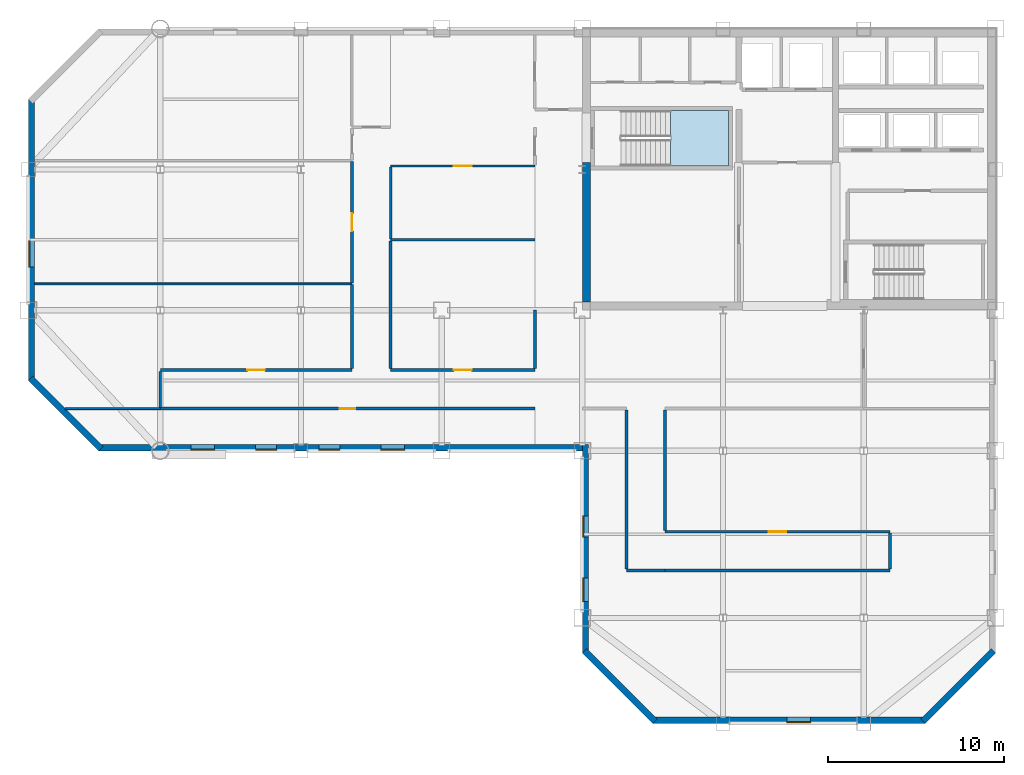
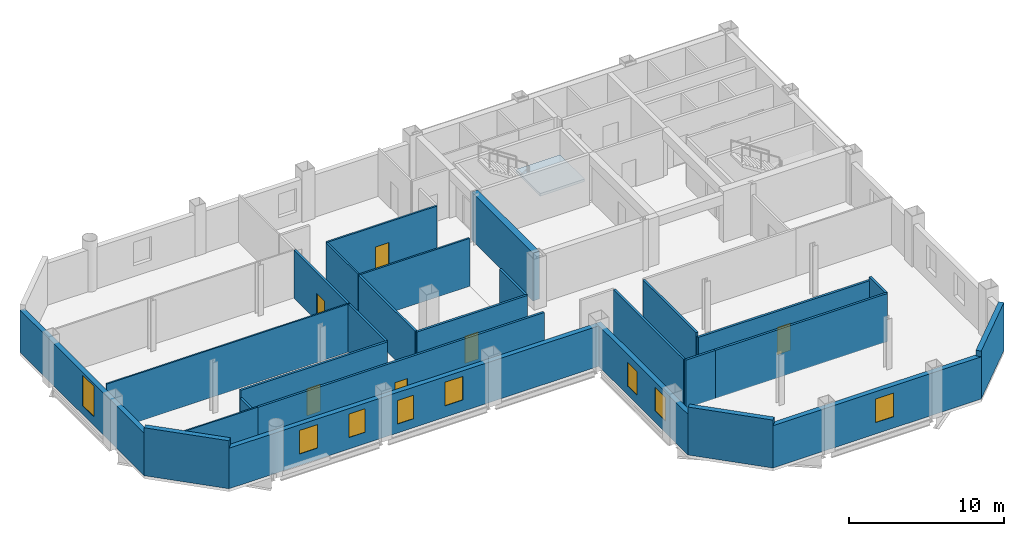
# One storey, part 4 of 10: 27 walls, 8 windows, 6 doors, 1 slab, 14 openings, 1 element without a shape of its own.
"""IFC4 building model written with IfcOpenShell, lengths in metres."""

from ifc_helpers import new_model, si_unit, direction, frame, frame_2d, origin, place, context, subcontext, project, spatial, polyline, rectangle, outline, extrude, material, layer, layer_set, type_object, element, fill, aggregate, save


model = new_model("IFC4")

# Units and contexts
model_context = context("Model", 3, precision=1e-05, world=origin(), true_north=direction((0.0, 1.0)))
body_context = subcontext(model_context, "Body", "Model", "MODEL_VIEW")
ifc_project = project(units=[si_unit("LENGTHUNIT", "METRE"), si_unit("AREAUNIT", "SQUARE_METRE"), si_unit("VOLUMEUNIT", "CUBIC_METRE"), si_unit("PLANEANGLEUNIT", "RADIAN"), si_unit("MASSUNIT", "GRAM", prefix="KILO")], contexts=[model_context])

# Site, building, storey
site_placement = place(None, origin())
site = spatial("IfcSite", under=ifc_project, at=site_placement, CompositionType="ELEMENT")
building_placement = place(site_placement, origin())
building = spatial("IfcBuilding", under=site, at=building_placement, Name="Qianrong Seaharbour Tower", CompositionType="ELEMENT")
storey_placement = place(building_placement, frame((0.0, 0.0, 253.800048828125)))
storey = spatial("IfcBuildingStorey", under=building, at=storey_placement, Name="L61", CompositionType="ELEMENT", Elevation=253.800048828125)

# Stair, slab
ifc_material_1 = material(Name="Concrete C50/60", Category="concrete")
stair_type = type_object("IfcStairType", Name="STAIR-DOGLEG-1500-R22", PredefinedType="HALF_TURN_STAIR", material=ifc_material_1)
stair_placement = place(storey_placement, origin())
stair = element("IfcStair", 1, at=stair_placement, inside=storey, type_object=stair_type, Name="L61 Protected Escape Stair ST-1", PredefinedType="HALF_TURN_STAIR")
ifc_layer_1 = layer(ifc_material_1, 0.199951171875)
ifc_layer_set_1 = layer_set([ifc_layer_1], Name="Concrete C50/60")
slab_type = type_object("IfcSlabType", Name="SLAB-STAIR-LANDING-200", PredefinedType="LANDING", material=ifc_layer_set_1)
slab_placement = place(storey_placement, frame((0.0, 0.0, 1.800048828125)))
slab = element("IfcSlab", 2, at=slab_placement, type_object=slab_type, Name="ST-1 landing 1", PredefinedType="LANDING", context=body_context, shape_type="SweptSolid", body=[
    extrude(outline(polyline([(45.5, 44.199951171875), (48.800048828125, 44.199951171875), (48.800048828125, 47.35009765625), (45.5, 47.35009765625), (45.5, 44.199951171875)])), origin(), (0.0, 0.0, 1.0), 0.199951171875),
])
aggregate(stair, [slab])

# Walls
ifc_material_2 = material(Name="Concrete C60/75", Category="concrete")
ifc_layer_2 = layer(ifc_material_2, 0.4599609375)
ifc_layer_set_2 = layer_set([ifc_layer_2], Name="Concrete C60/75")
wall_type_1 = type_object("IfcWallType", Name="WALL-CORE-460", PredefinedType="SHEAR", material=ifc_layer_set_2)
wall_1_placement = place(storey_placement, frame((40.72998046875, 36.4599609375, 0.0), z_axis=(0.0, 0.0, 1.0), x_axis=(0.0, 1.0, 0.0)))
element("IfcWall", 3, at=wall_1_placement, inside=storey, type_object=wall_type_1, Name="L61 West Core Shear Wall South", PredefinedType="SHEAR", context=body_context, shape_type="SweptSolid", body=[
    extrude(rectangle(XDim=7.93994140625, YDim=0.4599609375, at=frame_2d((3.969970703125, 0.0))), origin(), (0.0, 0.0, 1.0), 3.77490234375),
])
ifc_material_3 = material(Name="Fire-rated acoustic gypsum board partition")
ifc_layer_3 = layer(ifc_material_3, 0.1650390625)
ifc_layer_set_3 = layer_set([ifc_layer_3], Name="Fire-rated acoustic gypsum board partition")
wall_type_2 = type_object("IfcWallType", Name="WALL-CORR-PART-165", PredefinedType="PARTITIONING", material=ifc_layer_set_3)
wall_2_placement = place(storey_placement, frame((16.5, 30.474609375, 0.0), z_axis=(0.0, 0.0, 1.0), x_axis=(0.0, 1.0, 0.0)))
element("IfcWall", 4, at=wall_2_placement, inside=storey, type_object=wall_type_2, Name="L61 Interior Partition Wall 013", PredefinedType="PARTITIONING", context=body_context, shape_type="SweptSolid", body=[
    extrude(rectangle(XDim=2.05078125, YDim=0.1650390625, at=frame_2d((1.025390625, 0.0))), origin(), (0.0, 0.0, 1.0), 3.178955078125),
])

# Wall, opening, door
wall_3_placement = place(storey_placement, frame((16.5, 32.60009765625, 0.0), z_axis=(0.0, 0.0, 1.0), x_axis=(1.0, 0.0, 0.0)))
wall_3 = element("IfcWall", 5, at=wall_3_placement, inside=storey, type_object=wall_type_2, Name="L61 Interior Partition Wall 014", PredefinedType="PARTITIONING", context=body_context, shape_type="SweptSolid", body=[
    extrude(rectangle(XDim=10.89990234375, YDim=0.1650390625, at=frame_2d((5.449951171875, 0.0))), origin(), (0.0, 0.0, 1.0), 3.77490234375),
])
opening_1_placement = place(wall_3_placement, frame((4.949951171875, 0.0, 0.0)))
opening_1 = element("IfcOpeningElement", 6, at=opening_1_placement, cuts=wall_3, Name="Opening DO-01", PredefinedType="OPENING", context=body_context, shape_type="SweptSolid", body=[
    extrude(rectangle(XDim=1.0, YDim=2.14990234375, at=frame_2d((0.5, 1.074951171875))), frame((0.0, 0.092529296875, 0.0), z_axis=(0.0, -1.0, 0.0), x_axis=(1.0, 0.0, 0.0)), (0.0, 0.0, 1.0), 0.18505859375),
])
ifc_material_4 = material(Name="Acoustic timber and galvanized steel fire door assembly", Category="steel")
door_type_1 = type_object("IfcDoorType", Name="DOOR-OFFICE-1000x2150", OperationType="NOTDEFINED", PredefinedType="DOOR", material=ifc_material_4)
door_1_placement = place(opening_1_placement, origin())
door_1 = element("IfcDoor", 7, at=door_1_placement, inside=storey, type_object=door_type_1, Name="L61 Occupational Health Clinic 1 Door", OperationType="SINGLE_SWING_RIGHT", OverallHeight=2.14990234375, OverallWidth=1.0, PredefinedType="DOOR", context=body_context, shape_type="SweptSolid", body=[
    extrude(rectangle(XDim=1.0, YDim=2.14990234375, at=frame_2d((0.5, 1.074951171875))), frame((0.0, 0.02490234375, 0.0), z_axis=(0.0, -1.0, 0.0), x_axis=(1.0, 0.0, 0.0)), (0.0, 0.0, 1.0), 0.050048828125),
])
fill(opening_1, door_1)

wall_4_placement = place(storey_placement, frame((29.60009765625, 32.60009765625, 0.0), z_axis=(0.0, 0.0, 1.0), x_axis=(1.0, 0.0, 0.0)))
wall_4 = element("IfcWall", 8, at=wall_4_placement, inside=storey, type_object=wall_type_2, Name="L61 Interior Partition Wall 015", PredefinedType="PARTITIONING", context=body_context, shape_type="SweptSolid", body=[
    extrude(rectangle(XDim=8.199951171875, YDim=0.1650390625, at=frame_2d((4.10009765625, 0.0))), origin(), (0.0, 0.0, 1.0), 3.77490234375),
])
opening_2_placement = place(wall_4_placement, frame((3.60009765625, 0.0, 0.0)))
opening_2 = element("IfcOpeningElement", 9, at=opening_2_placement, cuts=wall_4, Name="Opening DO-01", PredefinedType="OPENING", context=body_context, shape_type="SweptSolid", body=[
    extrude(rectangle(XDim=1.0, YDim=2.14990234375, at=frame_2d((0.5, 1.074951171875))), frame((0.0, 0.092529296875, 0.0), z_axis=(0.0, -1.0, 0.0), x_axis=(1.0, 0.0, 0.0)), (0.0, 0.0, 1.0), 0.18505859375),
])
door_2_placement = place(opening_2_placement, origin())
door_2 = element("IfcDoor", 10, at=door_2_placement, inside=storey, type_object=door_type_1, Name="L61 Medical Examination Room 1 Door", OperationType="SINGLE_SWING_RIGHT", OverallHeight=2.14990234375, OverallWidth=1.0, PredefinedType="DOOR", context=body_context, shape_type="SweptSolid", body=[
    extrude(rectangle(XDim=1.0, YDim=2.14990234375, at=frame_2d((0.5, 1.074951171875))), frame((0.0, 0.02490234375, 0.0), z_axis=(0.0, -1.0, 0.0), x_axis=(1.0, 0.0, 0.0)), (0.0, 0.0, 1.0), 0.050048828125),
])
fill(opening_2, door_2)

wall_5_placement = place(storey_placement, frame((37.800048828125, 30.39990234375, 0.0), z_axis=(0.0, 0.0, 1.0), x_axis=(-1.0, 0.0, 0.0)))
wall_5 = element("IfcWall", 11, at=wall_5_placement, inside=storey, type_object=wall_type_2, Name="L61 Interior Partition Wall 016", PredefinedType="PARTITIONING", context=body_context, shape_type="SweptSolid", body=[
    extrude(rectangle(XDim=21.300048828125, YDim=0.1650390625, at=frame_2d((10.64990234375, 0.0))), origin(), (0.0, 0.0, 1.0), 3.77490234375),
])
opening_3_placement = place(wall_5_placement, frame((10.199951171875, 0.0, 0.0)))
opening_3 = element("IfcOpeningElement", 12, at=opening_3_placement, cuts=wall_5, Name="Opening DS-01", PredefinedType="OPENING", context=body_context, shape_type="SweptSolid", body=[
    extrude(rectangle(XDim=0.89990234375, YDim=2.14990234375, at=frame_2d((0.449951171875, 1.074951171875))), frame((0.0, 0.092529296875, 0.0), z_axis=(0.0, -1.0, 0.0), x_axis=(1.0, 0.0, 0.0)), (0.0, 0.0, 1.0), 0.18505859375),
])
door_type_2 = type_object("IfcDoorType", Name="DOOR-STORE-900x2150", OperationType="NOTDEFINED", PredefinedType="DOOR", material=ifc_material_4)
door_3_placement = place(opening_3_placement, origin())
door_3 = element("IfcDoor", 13, at=door_3_placement, inside=storey, type_object=door_type_2, Name="L61 Clinical Dispensary Store Door", OperationType="SINGLE_SWING_RIGHT", OverallHeight=2.14990234375, OverallWidth=0.89990234375, PredefinedType="DOOR", context=body_context, shape_type="SweptSolid", body=[
    extrude(rectangle(XDim=0.89990234375, YDim=2.14990234375, at=frame_2d((0.449951171875, 1.074951171875))), frame((0.0, 0.02490234375, 0.0), z_axis=(0.0, -1.0, 0.0), x_axis=(1.0, 0.0, 0.0)), (0.0, 0.0, 1.0), 0.050048828125),
])
fill(opening_3, door_3)

# Wall
wall_6_placement = place(storey_placement, frame((27.39990234375, 32.674560546875, 0.0), z_axis=(0.0, 0.0, 1.0), x_axis=(0.0, 1.0, 0.0)))
element("IfcWall", 14, at=wall_6_placement, inside=storey, type_object=wall_type_2, Name="L61 Interior Partition Wall 017", PredefinedType="PARTITIONING", context=body_context, shape_type="SweptSolid", body=[
    extrude(rectangle(XDim=4.7783203125, YDim=0.1650390625, at=frame_2d((2.38916015625, 0.0))), origin(), (0.0, 0.0, 1.0), 3.77490234375),
])

# Wall, opening, door
wall_7_placement = place(storey_placement, frame((27.39990234375, 37.547119140625, 0.0), z_axis=(0.0, 0.0, 1.0), x_axis=(0.0, 1.0, 0.0)))
wall_7 = element("IfcWall", 15, at=wall_7_placement, inside=storey, type_object=wall_type_2, Name="L61 Interior Partition Wall 018", PredefinedType="PARTITIONING", context=body_context, shape_type="SweptSolid", body=[
    extrude(rectangle(XDim=6.90576171875, YDim=0.1650390625, at=frame_2d((3.452880859375, 0.0))), origin(), (0.0, 0.0, 1.0), 3.77490234375),
])
opening_4_placement = place(wall_7_placement, frame((2.952880859375, 0.0, 0.0)))
opening_4 = element("IfcOpeningElement", 16, at=opening_4_placement, cuts=wall_7, Name="Opening DO-01", PredefinedType="OPENING", context=body_context, shape_type="SweptSolid", body=[
    extrude(rectangle(XDim=1.0, YDim=2.14990234375, at=frame_2d((0.5, 1.074951171875))), frame((0.0, 0.092529296875, 0.0), z_axis=(0.0, -1.0, 0.0), x_axis=(1.0, 0.0, 0.0)), (0.0, 0.0, 1.0), 0.18505859375),
])
door_4_placement = place(opening_4_placement, origin())
door_4 = element("IfcDoor", 17, at=door_4_placement, inside=storey, type_object=door_type_1, Name="L61 Physiotherapy Room 2 Door", OperationType="SINGLE_SWING_LEFT", OverallHeight=2.14990234375, OverallWidth=1.0, PredefinedType="DOOR", context=body_context, shape_type="SweptSolid", body=[
    extrude(rectangle(XDim=1.0, YDim=2.14990234375, at=frame_2d((0.5, 1.074951171875))), frame((0.0, 0.02490234375, 0.0), z_axis=(0.0, -1.0, 0.0), x_axis=(1.0, 0.0, 0.0)), (0.0, 0.0, 1.0), 0.050048828125),
])
fill(opening_4, door_4)

# Walls
wall_8_placement = place(storey_placement, frame((29.60009765625, 39.943115234375, 0.0), z_axis=(0.0, 0.0, 1.0), x_axis=(0.0, -1.0, 0.0)))
element("IfcWall", 18, at=wall_8_placement, inside=storey, type_object=wall_type_2, Name="L61 Interior Partition Wall 021", PredefinedType="PARTITIONING", context=body_context, shape_type="SweptSolid", body=[
    extrude(rectangle(XDim=7.2685546875, YDim=0.1650390625, at=frame_2d((3.63427734375, 0.0))), origin(), (0.0, 0.0, 1.0), 3.77490234375),
])
wall_9_placement = place(storey_placement, frame((37.800048828125, 32.674560546875, 0.0), z_axis=(0.0, 0.0, 1.0), x_axis=(0.0, 1.0, 0.0)))
element("IfcWall", 19, at=wall_9_placement, inside=storey, type_object=wall_type_2, Name="L61 Interior Partition Wall 027", PredefinedType="PARTITIONING", context=body_context, shape_type="SweptSolid", body=[
    extrude(rectangle(XDim=3.325439453125, YDim=0.1650390625, at=frame_2d((1.66259765625, 0.0))), origin(), (0.0, 0.0, 1.0), 3.77490234375),
])
wall_10_placement = place(storey_placement, frame((45.199951171875, 21.199951171875, 0.0), z_axis=(0.0, 0.0, 1.0), x_axis=(-1.0, 0.0, 0.0)))
element("IfcWall", 20, at=wall_10_placement, inside=storey, type_object=wall_type_2, Name="L61 Interior Partition Wall 028", PredefinedType="PARTITIONING", context=body_context, shape_type="SweptSolid", body=[
    extrude(rectangle(XDim=2.199951171875, YDim=0.1650390625, at=frame_2d((1.10009765625, 0.0))), origin(), (0.0, 0.0, 1.0), 3.77490234375),
])
wall_11_placement = place(storey_placement, frame((43.0, 21.2744140625, 0.0), z_axis=(0.0, 0.0, 1.0), x_axis=(0.0, 1.0, 0.0)))
element("IfcWall", 21, at=wall_11_placement, inside=storey, type_object=wall_type_2, Name="L61 Interior Partition Wall 029", PredefinedType="PARTITIONING", context=body_context, shape_type="SweptSolid", body=[
    extrude(rectangle(XDim=9.051025390625, YDim=0.1650390625, at=frame_2d((4.525390625, 0.0))), origin(), (0.0, 0.0, 1.0), 3.77490234375),
])
wall_12_placement = place(storey_placement, frame((45.199951171875, 30.325439453125, 0.0), z_axis=(0.0, 0.0, 1.0), x_axis=(0.0, -1.0, 0.0)))
element("IfcWall", 22, at=wall_12_placement, inside=storey, type_object=wall_type_2, Name="L61 Interior Partition Wall 030", PredefinedType="PARTITIONING", context=body_context, shape_type="SweptSolid", body=[
    extrude(rectangle(XDim=6.850830078125, YDim=0.1650390625, at=frame_2d((3.42529296875, 0.0))), origin(), (0.0, 0.0, 1.0), 3.77490234375),
])

# Wall, opening, door
wall_13_placement = place(storey_placement, frame((45.199951171875, 23.39990234375, 0.0), z_axis=(0.0, 0.0, 1.0), x_axis=(1.0, 0.0, 0.0)))
wall_13 = element("IfcWall", 23, at=wall_13_placement, inside=storey, type_object=wall_type_2, Name="L61 Interior Partition Wall 031", PredefinedType="PARTITIONING", context=body_context, shape_type="SweptSolid", body=[
    extrude(rectangle(XDim=12.800048828125, YDim=0.1650390625, at=frame_2d((6.39990234375, 0.0))), origin(), (0.0, 0.0, 1.0), 3.467041015625),
])
opening_5_placement = place(wall_13_placement, frame((5.89990234375, 0.0, 0.0)))
opening_5 = element("IfcOpeningElement", 24, at=opening_5_placement, cuts=wall_13, Name="Opening DO-01", PredefinedType="OPENING", context=body_context, shape_type="SweptSolid", body=[
    extrude(rectangle(XDim=1.0, YDim=2.14990234375, at=frame_2d((0.5, 1.074951171875))), frame((0.0, 0.092529296875, 0.0), z_axis=(0.0, -1.0, 0.0), x_axis=(1.0, 0.0, 0.0)), (0.0, 0.0, 1.0), 0.18505859375),
])
door_5_placement = place(opening_5_placement, origin())
door_5 = element("IfcDoor", 25, at=door_5_placement, inside=storey, type_object=door_type_1, Name="L61 South Tip Open-Plan Office Door", OperationType="SINGLE_SWING_RIGHT", OverallHeight=2.14990234375, OverallWidth=1.0, PredefinedType="DOOR", context=body_context, shape_type="SweptSolid", body=[
    extrude(rectangle(XDim=1.0, YDim=2.14990234375, at=frame_2d((0.5, 1.074951171875))), frame((0.0, 0.02490234375, 0.0), z_axis=(0.0, -1.0, 0.0), x_axis=(1.0, 0.0, 0.0)), (0.0, 0.0, 1.0), 0.050048828125),
])
fill(opening_5, door_5)

# Walls
wall_14_placement = place(storey_placement, frame((58.0, 23.325439453125, 0.0), z_axis=(0.0, 0.0, 1.0), x_axis=(0.0, -1.0, 0.0)))
element("IfcWall", 26, at=wall_14_placement, inside=storey, type_object=wall_type_2, Name="L61 Interior Partition Wall 032", PredefinedType="PARTITIONING", context=body_context, shape_type="SweptSolid", body=[
    extrude(rectangle(XDim=2.051025390625, YDim=0.1650390625, at=frame_2d((1.025390625, 0.0))), origin(), (0.0, 0.0, 1.0), 3.77490234375),
])
wall_15_placement = place(storey_placement, frame((58.0, 21.199951171875, 0.0), z_axis=(0.0, 0.0, 1.0), x_axis=(-1.0, 0.0, 0.0)))
element("IfcWall", 27, at=wall_15_placement, inside=storey, type_object=wall_type_2, Name="L61 Interior Partition Wall 033", PredefinedType="PARTITIONING", context=body_context, shape_type="SweptSolid", body=[
    extrude(rectangle(XDim=12.800048828125, YDim=0.1650390625, at=frame_2d((6.39990234375, 0.0))), origin(), (0.0, 0.0, 1.0), 3.77490234375),
])
ifc_material_5 = material(Name="Demountable aluminium-framed acoustic office partition", Category="aluminium")
ifc_layer_4 = layer(ifc_material_5, 0.110107421875)
ifc_layer_set_4 = layer_set([ifc_layer_4], Name="Demountable aluminium-framed acoustic office partition")
wall_type_3 = type_object("IfcWallType", Name="WALL-DEMOUNT-110", PredefinedType="MOVABLE", material=ifc_layer_set_4)
wall_16_placement = place(storey_placement, frame((9.35205078125, 37.5, 0.0), z_axis=(0.0, 0.0, 1.0), x_axis=(1.0, 0.0, 0.0)))
element("IfcWall", 28, at=wall_16_placement, inside=storey, type_object=wall_type_3, Name="L61 Interior Partition Wall 035", PredefinedType="MOVABLE", context=body_context, shape_type="SweptSolid", body=[
    extrude(rectangle(XDim=18.0478515625, YDim=0.110107421875, at=frame_2d((9.02392578125, 0.0))), origin(), (0.0, 0.0, 1.0), 3.77490234375),
])
wall_17_placement = place(storey_placement, frame((16.5, 30.39990234375, 0.0), z_axis=(0.0, 0.0, 1.0), x_axis=(-1.0, 0.0, 0.0)))
element("IfcWall", 29, at=wall_17_placement, inside=storey, type_object=wall_type_3, Name="L61 Interior Partition Wall 036", PredefinedType="MOVABLE", context=body_context, shape_type="SweptSolid", body=[
    extrude(rectangle(XDim=5.402099609375, YDim=0.110107421875, at=frame_2d((2.701171875, 0.0))), origin(), (0.0, 0.0, 1.0), 3.77490234375),
])

# Wall, openings, windows
ifc_material_6 = material(Name="Unitised red brick on Precast concrete C45/55", Category="masonry")
ifc_layer_5 = layer(ifc_material_6, 0.360107421875)
ifc_layer_set_5 = layer_set([ifc_layer_5], Name="Unitised red brick on Precast concrete C45/55")
wall_type_4 = type_object("IfcWallType", Name="WALL-EXT-BRICK-RED-360", PredefinedType="SOLIDWALL", material=ifc_layer_set_5)
wall_18_placement = place(storey_placement, frame((40.679931640625, 16.5, 0.0), z_axis=(0.0, 0.0, 1.0), x_axis=(0.0, 1.0, 0.0)))
wall_18 = element("IfcWall", 30, at=wall_18_placement, inside=storey, type_object=wall_type_4, Name="L61 Exterior Masonry Facade Wall REENTRANT_WEST", PredefinedType="SOLIDWALL", context=body_context, shape_type="SweptSolid", body=[
    extrude(rectangle(XDim=11.860107421875, YDim=0.360107421875, at=frame_2d((5.93017578125, 0.0))), origin(), (0.0, 0.0, 1.0), 3.18701171875),
])
opening_6_placement = place(wall_18_placement, frame((2.925048828125, 0.0, 0.89990234375)))
opening_6 = element("IfcOpeningElement", 31, at=opening_6_placement, cuts=wall_18, Name="Opening WN-02", PredefinedType="OPENING", context=body_context, shape_type="SweptSolid", body=[
    extrude(rectangle(XDim=1.35009765625, YDim=1.85009765625, at=frame_2d((0.675048828125, 0.925048828125))), frame((0.0, 0.18994140625, 0.0), z_axis=(0.0, -1.0, 0.0), x_axis=(1.0, 0.0, 0.0)), (0.0, 0.0, 1.0), 0.380126953125),
])
opening_7_placement = place(wall_18_placement, frame((6.60009765625, 0.0, 0.699951171875)))
opening_7 = element("IfcOpeningElement", 32, at=opening_7_placement, cuts=wall_18, Name="Opening WN-01", PredefinedType="OPENING", context=body_context, shape_type="SweptSolid", body=[
    extrude(rectangle(XDim=1.199951171875, YDim=1.85009765625, at=frame_2d((0.60009765625, 0.925048828125))), frame((0.0, 0.18994140625, 0.0), z_axis=(0.0, -1.0, 0.0), x_axis=(1.0, 0.0, 0.0)), (0.0, 0.0, 1.0), 0.380126953125),
])
ifc_material_7 = material(Name="Insulated low-e double glazing in thermally broken aluminium 6063-T6 frame", Category="aluminium")
window_type_1 = type_object("IfcWindowType", Name="WIN-PUNCH-1200x1850", PartitioningType="DOUBLE_PANEL_VERTICAL", PredefinedType="WINDOW", material=ifc_material_7)
window_1_placement = place(opening_7_placement, origin())
window_1 = element("IfcWindow", 33, at=window_1_placement, inside=storey, type_object=window_type_1, Name="L61 Deep-Set Punched Window 00.02", OverallHeight=1.85009765625, OverallWidth=1.199951171875, PartitioningType="DOUBLE_PANEL_VERTICAL", PredefinedType="WINDOW", context=body_context, shape_type="SweptSolid", body=[
    extrude(rectangle(XDim=1.199951171875, YDim=1.85009765625, at=frame_2d((0.60009765625, 0.925048828125))), frame((0.0, 0.150146484375, 0.0), z_axis=(0.0, -1.0, 0.0), x_axis=(1.0, 0.0, 0.0)), (0.0, 0.0, 1.0), 0.06005859375),
])
fill(opening_7, window_1)
window_type_2 = type_object("IfcWindowType", Name="WIN-PUNCH-1350x1850", PartitioningType="DOUBLE_PANEL_VERTICAL", PredefinedType="WINDOW", material=ifc_material_7)
window_2_placement = place(opening_6_placement, origin())
window_2 = element("IfcWindow", 34, at=window_2_placement, inside=storey, type_object=window_type_2, Name="L61 Deep-Set Punched Window 00.01", OverallHeight=1.85009765625, OverallWidth=1.35009765625, PartitioningType="DOUBLE_PANEL_VERTICAL", PredefinedType="WINDOW", context=body_context, shape_type="SweptSolid", body=[
    extrude(rectangle(XDim=1.35009765625, YDim=1.85009765625, at=frame_2d((0.675048828125, 0.925048828125))), frame((0.0, 0.150146484375, 0.0), z_axis=(0.0, -1.0, 0.0), x_axis=(1.0, 0.0, 0.0)), (0.0, 0.0, 1.0), 0.06005859375),
])
fill(opening_6, window_2)

wall_19_placement = place(storey_placement, frame((40.52001953125, 28.179931640625, 0.0), z_axis=(0.0, 0.0, 1.0), x_axis=(-1.0, 0.0, 0.0)))
wall_19 = element("IfcWall", 35, at=wall_19_placement, inside=storey, type_object=wall_type_4, Name="L61 Exterior Masonry Facade Wall HARBOUR_RIBBON", PredefinedType="SOLIDWALL", context=body_context, shape_type="SweptSolid", body=[
    extrude(rectangle(XDim=27.52001953125, YDim=0.360107421875, at=frame_2d((13.760009765625, 0.0))), origin(), (0.0, 0.0, 1.0), 3.18701171875),
])
opening_8_placement = place(wall_19_placement, frame((10.125, 0.0, 0.89990234375)))
opening_8 = element("IfcOpeningElement", 36, at=opening_8_placement, cuts=wall_19, Name="Opening WN-02", PredefinedType="OPENING", context=body_context, shape_type="SweptSolid", body=[
    extrude(rectangle(XDim=1.35009765625, YDim=1.85009765625, at=frame_2d((0.675048828125, 0.925048828125))), frame((0.0, 0.18994140625, 0.0), z_axis=(0.0, -1.0, 0.0), x_axis=(1.0, 0.0, 0.0)), (0.0, 0.0, 1.0), 0.380126953125),
])
opening_9_placement = place(wall_19_placement, frame((13.800048828125, 0.0, 0.699951171875)))
opening_9 = element("IfcOpeningElement", 37, at=opening_9_placement, cuts=wall_19, Name="Opening WN-01", PredefinedType="OPENING", context=body_context, shape_type="SweptSolid", body=[
    extrude(rectangle(XDim=1.199951171875, YDim=1.85009765625, at=frame_2d((0.60009765625, 0.925048828125))), frame((0.0, 0.18994140625, 0.0), z_axis=(0.0, -1.0, 0.0), x_axis=(1.0, 0.0, 0.0)), (0.0, 0.0, 1.0), 0.380126953125),
])
opening_10_placement = place(wall_19_placement, frame((17.39990234375, 0.0, 0.89990234375)))
opening_10 = element("IfcOpeningElement", 38, at=opening_10_placement, cuts=wall_19, Name="Opening WN-01", PredefinedType="OPENING", context=body_context, shape_type="SweptSolid", body=[
    extrude(rectangle(XDim=1.199951171875, YDim=1.85009765625, at=frame_2d((0.60009765625, 0.925048828125))), frame((0.0, 0.18994140625, 0.0), z_axis=(0.0, -1.0, 0.0), x_axis=(1.0, 0.0, 0.0)), (0.0, 0.0, 1.0), 0.380126953125),
])
opening_11_placement = place(wall_19_placement, frame((20.925048828125, 0.0, 0.89990234375)))
opening_11 = element("IfcOpeningElement", 39, at=opening_11_placement, cuts=wall_19, Name="Opening WN-02", PredefinedType="OPENING", context=body_context, shape_type="SweptSolid", body=[
    extrude(rectangle(XDim=1.35009765625, YDim=1.85009765625, at=frame_2d((0.675048828125, 0.925048828125))), frame((0.0, 0.18994140625, 0.0), z_axis=(0.0, -1.0, 0.0), x_axis=(1.0, 0.0, 0.0)), (0.0, 0.0, 1.0), 0.380126953125),
])
window_3_placement = place(opening_9_placement, origin())
window_3 = element("IfcWindow", 40, at=window_3_placement, inside=storey, type_object=window_type_1, Name="L61 Deep-Set Punched Window 01.04", OverallHeight=1.85009765625, OverallWidth=1.199951171875, PartitioningType="DOUBLE_PANEL_VERTICAL", PredefinedType="WINDOW", context=body_context, shape_type="SweptSolid", body=[
    extrude(rectangle(XDim=1.199951171875, YDim=1.85009765625, at=frame_2d((0.60009765625, 0.925048828125))), frame((0.0, 0.150146484375, 0.0), z_axis=(0.0, -1.0, 0.0), x_axis=(1.0, 0.0, 0.0)), (0.0, 0.0, 1.0), 0.06005859375),
])
fill(opening_9, window_3)
window_4_placement = place(opening_10_placement, origin())
window_4 = element("IfcWindow", 41, at=window_4_placement, inside=storey, type_object=window_type_1, Name="L61 Deep-Set Punched Window 01.05", OverallHeight=1.85009765625, OverallWidth=1.199951171875, PartitioningType="DOUBLE_PANEL_VERTICAL", PredefinedType="WINDOW", context=body_context, shape_type="SweptSolid", body=[
    extrude(rectangle(XDim=1.199951171875, YDim=1.85009765625, at=frame_2d((0.60009765625, 0.925048828125))), frame((0.0, 0.150146484375, 0.0), z_axis=(0.0, -1.0, 0.0), x_axis=(1.0, 0.0, 0.0)), (0.0, 0.0, 1.0), 0.06005859375),
])
fill(opening_10, window_4)
window_5_placement = place(opening_8_placement, origin())
window_5 = element("IfcWindow", 42, at=window_5_placement, inside=storey, type_object=window_type_2, Name="L61 Deep-Set Punched Window 01.03", OverallHeight=1.85009765625, OverallWidth=1.35009765625, PartitioningType="DOUBLE_PANEL_VERTICAL", PredefinedType="WINDOW", context=body_context, shape_type="SweptSolid", body=[
    extrude(rectangle(XDim=1.35009765625, YDim=1.85009765625, at=frame_2d((0.675048828125, 0.925048828125))), frame((0.0, 0.150146484375, 0.0), z_axis=(0.0, -1.0, 0.0), x_axis=(1.0, 0.0, 0.0)), (0.0, 0.0, 1.0), 0.06005859375),
])
fill(opening_8, window_5)
window_6_placement = place(opening_11_placement, origin())
window_6 = element("IfcWindow", 43, at=window_6_placement, inside=storey, type_object=window_type_2, Name="L61 Deep-Set Punched Window 01.06", OverallHeight=1.85009765625, OverallWidth=1.35009765625, PartitioningType="DOUBLE_PANEL_VERTICAL", PredefinedType="WINDOW", context=body_context, shape_type="SweptSolid", body=[
    extrude(rectangle(XDim=1.35009765625, YDim=1.85009765625, at=frame_2d((0.675048828125, 0.925048828125))), frame((0.0, 0.150146484375, 0.0), z_axis=(0.0, -1.0, 0.0), x_axis=(1.0, 0.0, 0.0)), (0.0, 0.0, 1.0), 0.06005859375),
])
fill(opening_11, window_6)

# Wall
wall_20_placement = place(storey_placement, frame((13.127197265625, 28.127197265625, 0.0), z_axis=(0.0, 0.0, 1.0), x_axis=(-0.707106781187, 0.707106781187, 0.0)))
element("IfcWall", 44, at=wall_20_placement, inside=storey, type_object=wall_type_4, Name="L61 Exterior Masonry Facade Wall E02", PredefinedType="SOLIDWALL", context=body_context, shape_type="SweptSolid", body=[
    extrude(rectangle(XDim=5.65673828125, YDim=0.360107421875, at=frame_2d((2.828369140625, 0.0))), origin(), (0.0, 0.0, 1.0), 3.77490234375),
])

# Wall, opening, window
wall_21_placement = place(storey_placement, frame((9.179931640625, 32.0, 0.0), z_axis=(0.0, 0.0, 1.0), x_axis=(0.0, 1.0, 0.0)))
wall_21 = element("IfcWall", 45, at=wall_21_placement, inside=storey, type_object=wall_type_4, Name="L61 Exterior Masonry Facade Wall WEST_TIP", PredefinedType="SOLIDWALL", context=body_context, shape_type="SweptSolid", body=[
    extrude(rectangle(XDim=16.0, YDim=0.360107421875, at=frame_2d((8.0, 0.0))), origin(), (0.0, 0.0, 1.0), 3.324951171875),
])
opening_12_placement = place(wall_21_placement, frame((6.449951171875, 0.0, 0.699951171875)))
opening_12 = element("IfcOpeningElement", 46, at=opening_12_placement, cuts=wall_21, Name="Opening WN-08", PredefinedType="OPENING", context=body_context, shape_type="SweptSolid", body=[
    extrude(rectangle(XDim=1.5, YDim=2.39990234375, at=frame_2d((0.75, 1.199951171875))), frame((0.0, 0.18994140625, 0.0), z_axis=(0.0, -1.0, 0.0), x_axis=(1.0, 0.0, 0.0)), (0.0, 0.0, 1.0), 0.380126953125),
])
window_type_3 = type_object("IfcWindowType", Name="WIN-PUNCH-1500x2400", PartitioningType="DOUBLE_PANEL_HORIZONTAL", PredefinedType="WINDOW", material=ifc_material_7)
window_7_placement = place(opening_12_placement, origin())
window_7 = element("IfcWindow", 47, at=window_7_placement, inside=storey, type_object=window_type_3, Name="L61 Deep-Set Punched Window 03.02", OverallHeight=2.39990234375, OverallWidth=1.5, PartitioningType="DOUBLE_PANEL_HORIZONTAL", PredefinedType="WINDOW", context=body_context, shape_type="SweptSolid", body=[
    extrude(rectangle(XDim=1.5, YDim=2.39990234375, at=frame_2d((0.75, 1.199951171875))), frame((0.0, 0.150146484375, 0.0), z_axis=(0.0, -1.0, 0.0), x_axis=(1.0, 0.0, 0.0)), (0.0, 0.0, 1.0), 0.06005859375),
])
fill(opening_12, window_7)

# Wall
wall_22_placement = place(storey_placement, frame((63.872802734375, 16.627197265625, 0.0), z_axis=(0.0, 0.0, 1.0), x_axis=(-0.707106781187, -0.707106781187, 0.0)))
element("IfcWall", 48, at=wall_22_placement, inside=storey, type_object=wall_type_4, Name="L61 Exterior Masonry Facade Wall E07", PredefinedType="SOLIDWALL", context=body_context, shape_type="SweptSolid", body=[
    extrude(rectangle(XDim=5.65673828125, YDim=0.360107421875, at=frame_2d((2.828369140625, 0.0))), origin(), (0.0, 0.0, 1.0), 3.77490234375),
])

# Wall, opening, window
wall_23_placement = place(storey_placement, frame((60.0, 12.679931640625, 0.0), z_axis=(0.0, 0.0, 1.0), x_axis=(-1.0, 0.0, 0.0)))
wall_23 = element("IfcWall", 49, at=wall_23_placement, inside=storey, type_object=wall_type_4, Name="L61 Exterior Masonry Facade Wall SOUTH_TIP", PredefinedType="SOLIDWALL", context=body_context, shape_type="SweptSolid", body=[
    extrude(rectangle(XDim=15.5, YDim=0.360107421875, at=frame_2d((7.75, 0.0))), origin(), (0.0, 0.0, 1.0), 3.324951171875),
])
opening_13_placement = place(wall_23_placement, frame((6.52490234375, 0.0, 0.89990234375)))
opening_13 = element("IfcOpeningElement", 50, at=opening_13_placement, cuts=wall_23, Name="Opening WN-02", PredefinedType="OPENING", context=body_context, shape_type="SweptSolid", body=[
    extrude(rectangle(XDim=1.35009765625, YDim=1.85009765625, at=frame_2d((0.675048828125, 0.925048828125))), frame((0.0, 0.18994140625, 0.0), z_axis=(0.0, -1.0, 0.0), x_axis=(1.0, 0.0, 0.0)), (0.0, 0.0, 1.0), 0.380126953125),
])
window_8_placement = place(opening_13_placement, origin())
window_8 = element("IfcWindow", 51, at=window_8_placement, inside=storey, type_object=window_type_2, Name="L61 Deep-Set Punched Window 08.02", OverallHeight=1.85009765625, OverallWidth=1.35009765625, PartitioningType="DOUBLE_PANEL_VERTICAL", PredefinedType="WINDOW", context=body_context, shape_type="SweptSolid", body=[
    extrude(rectangle(XDim=1.35009765625, YDim=1.85009765625, at=frame_2d((0.675048828125, 0.925048828125))), frame((0.0, 0.150146484375, 0.0), z_axis=(0.0, -1.0, 0.0), x_axis=(1.0, 0.0, 0.0)), (0.0, 0.0, 1.0), 0.06005859375),
])
fill(opening_13, window_8)

# Walls
wall_24_placement = place(storey_placement, frame((44.627197265625, 12.627197265625, 0.0), z_axis=(0.0, 0.0, 1.0), x_axis=(-0.707106781187, 0.707106781187, 0.0)))
element("IfcWall", 52, at=wall_24_placement, inside=storey, type_object=wall_type_4, Name="L61 Exterior Masonry Facade Wall E09", PredefinedType="SOLIDWALL", context=body_context, shape_type="SweptSolid", body=[
    extrude(rectangle(XDim=5.65673828125, YDim=0.360107421875, at=frame_2d((2.828369140625, 0.0))), origin(), (0.0, 0.0, 1.0), 3.77490234375),
])
ifc_material_8 = material(Name="Water-resistant cement board sanitary partition")
ifc_layer_6 = layer(ifc_material_8, 0.1298828125)
ifc_layer_set_6 = layer_set([ifc_layer_6], Name="Water-resistant cement board sanitary partition")
wall_type_5 = type_object("IfcWallType", Name="WALL-WET-PART-130", PredefinedType="PARTITIONING", material=ifc_layer_set_6)
wall_25_placement = place(storey_placement, frame((29.60009765625, 44.14306640625, 0.0), z_axis=(0.0, 0.0, 1.0), x_axis=(0.0, -1.0, 0.0)))
element("IfcWall", 53, at=wall_25_placement, inside=storey, type_object=wall_type_5, Name="L61 Interior Partition Wall 022", PredefinedType="PARTITIONING", context=body_context, shape_type="SweptSolid", body=[
    extrude(rectangle(XDim=4.086181640625, YDim=0.1298828125, at=frame_2d((2.04296875, 0.0))), origin(), (0.0, 0.0, 1.0), 3.77490234375),
])

# Wall, opening, door
wall_26_placement = place(storey_placement, frame((37.800048828125, 44.199951171875, 0.0), z_axis=(0.0, 0.0, 1.0), x_axis=(-1.0, 0.0, 0.0)))
wall_26 = element("IfcWall", 54, at=wall_26_placement, inside=storey, type_object=wall_type_5, Name="L61 Interior Partition Wall 023", PredefinedType="PARTITIONING", context=body_context, shape_type="SweptSolid", body=[
    extrude(rectangle(XDim=8.199951171875, YDim=0.1298828125, at=frame_2d((4.10009765625, 0.0))), origin(), (0.0, 0.0, 1.0), 3.77490234375),
])
opening_14_placement = place(wall_26_placement, frame((3.60009765625, 0.0, 0.0)))
opening_14 = element("IfcOpeningElement", 55, at=opening_14_placement, cuts=wall_26, Name="Opening DO-01", PredefinedType="OPENING", context=body_context, shape_type="SweptSolid", body=[
    extrude(rectangle(XDim=1.0, YDim=2.14990234375, at=frame_2d((0.5, 1.074951171875))), frame((0.0, 0.074951171875, 0.0), z_axis=(0.0, -1.0, 0.0), x_axis=(1.0, 0.0, 0.0)), (0.0, 0.0, 1.0), 0.14990234375),
])
door_6_placement = place(opening_14_placement, origin())
door_6 = element("IfcDoor", 56, at=door_6_placement, inside=storey, type_object=door_type_1, Name="L61 Wet Pantry 2 Door", OperationType="SINGLE_SWING_LEFT", OverallHeight=2.14990234375, OverallWidth=1.0, PredefinedType="DOOR", context=body_context, shape_type="SweptSolid", body=[
    extrude(rectangle(XDim=1.0, YDim=2.14990234375, at=frame_2d((0.5, 1.074951171875))), frame((0.0, 0.02490234375, 0.0), z_axis=(0.0, -1.0, 0.0), x_axis=(1.0, 0.0, 0.0)), (0.0, 0.0, 1.0), 0.050048828125),
])
fill(opening_14, door_6)

# Wall
wall_27_placement = place(storey_placement, frame((29.60009765625, 40.0, 0.0), z_axis=(0.0, 0.0, 1.0), x_axis=(1.0, 0.0, 0.0)))
element("IfcWall", 57, at=wall_27_placement, inside=storey, type_object=wall_type_5, Name="L61 Interior Partition Wall 039", PredefinedType="PARTITIONING", context=body_context, shape_type="SweptSolid", body=[
    extrude(rectangle(XDim=8.199951171875, YDim=0.1298828125, at=frame_2d((4.10009765625, 0.0))), origin(), (0.0, 0.0, 1.0), 3.77490234375),
])

save(model, "model.ifc")
